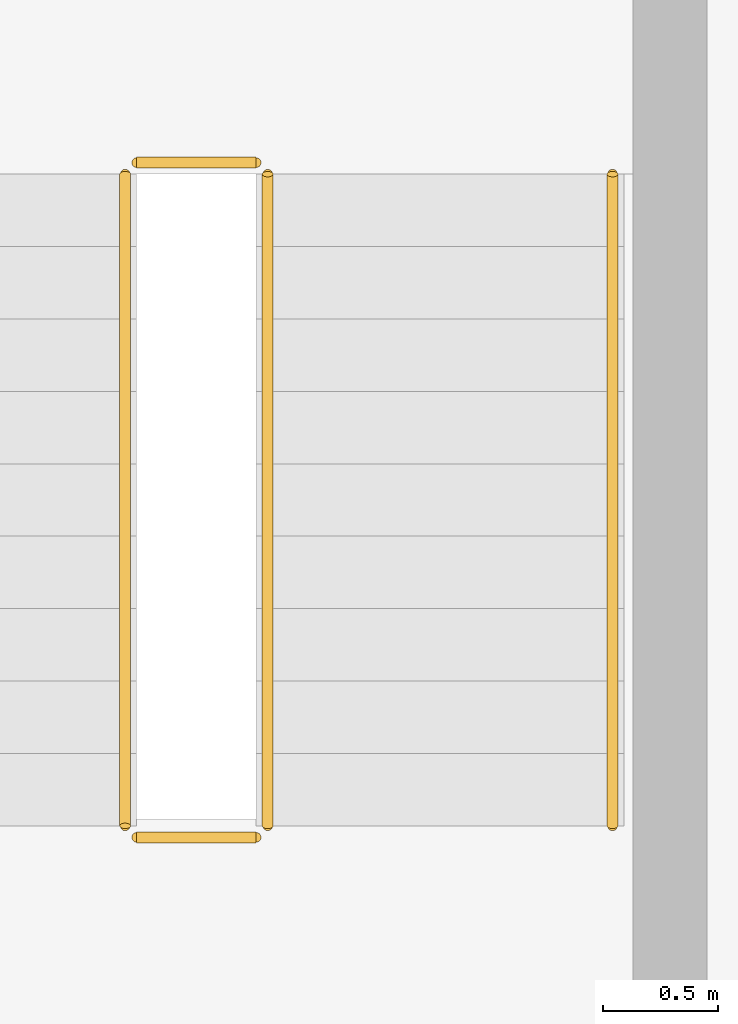
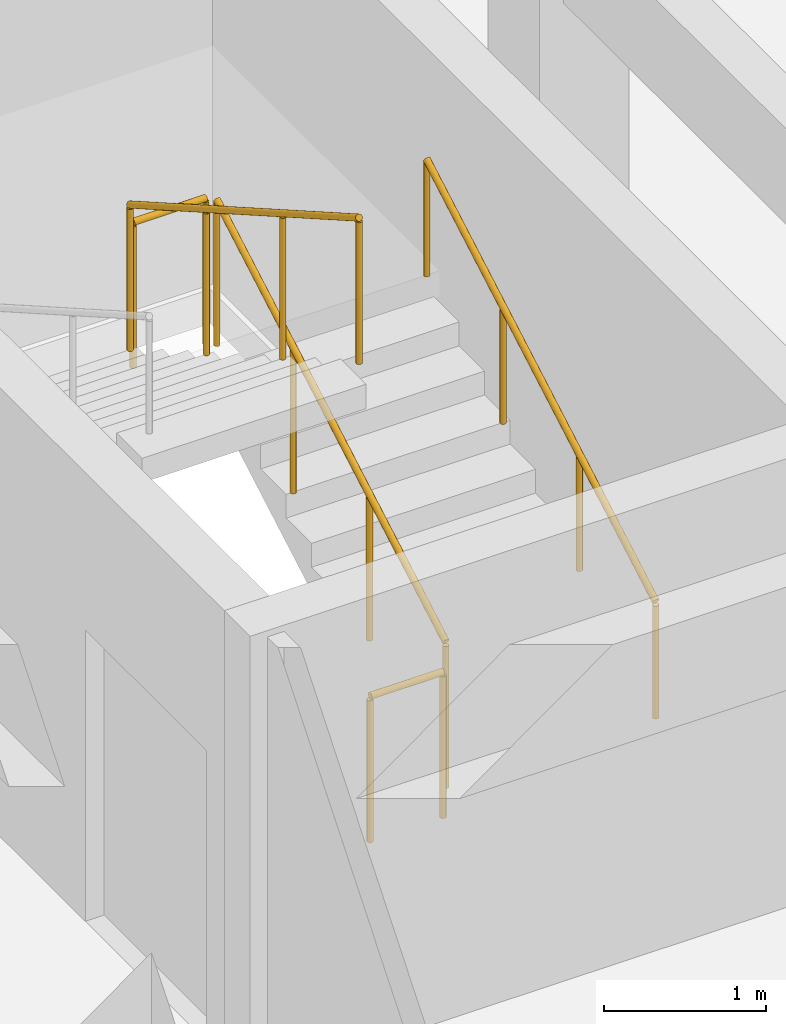
# One storey, part 75 of 85: 5 railings.
"""IFC4 building model written with IfcOpenShell, lengths in metres."""

from ifc_helpers import new_model, si_unit, direction, frame, origin, origin_2d, place, context, subcontext, project, spatial, circle, extrude, material, type_object, element, save


model = new_model("IFC4")

# Units and contexts
model_context = context("Model", 3, precision=1e-05, world=origin(), true_north=direction((0.0, 1.0)))
body_context = subcontext(model_context, "Body", "Model", "MODEL_VIEW")
ifc_project = project(units=[si_unit("LENGTHUNIT", "METRE"), si_unit("AREAUNIT", "SQUARE_METRE"), si_unit("VOLUMEUNIT", "CUBIC_METRE"), si_unit("PLANEANGLEUNIT", "RADIAN"), si_unit("MASSUNIT", "GRAM", prefix="KILO")], contexts=[model_context])

# Site, building, storey
site_placement = place(None, origin())
site = spatial("IfcSite", under=ifc_project, at=site_placement, CompositionType="ELEMENT")
building_placement = place(site_placement, origin())
building = spatial("IfcBuilding", under=site, at=building_placement, Name="Alvorim Cloister Faculty of Sciences", CompositionType="ELEMENT")
storey_placement = place(building_placement, frame((0.0, 0.0, 8.550048828125)))
storey = spatial("IfcBuildingStorey", under=building, at=storey_placement, Name="L02", CompositionType="ELEMENT", Elevation=8.550048828125)

# Railings
ifc_material_1 = material(Name="Galvanised Painted Steel", Category="steel")
railing_type_1 = type_object("IfcRailingType", Name="RL-STR-GUARD", PredefinedType="GUARDRAIL", material=ifc_material_1)
railing_1_placement = place(storey_placement, frame((18.3701171875, 73.800048828125, 0.179931640625)))
element("IfcRailing", 1, at=railing_1_placement, inside=storey, type_object=railing_type_1, Name="L02 ST-05 stair guard 1", PredefinedType="GUARDRAIL", context=body_context, shape_type="SweptSolid", body=[
    extrude(circle(Radius=0.02392578125, at=origin_2d()), frame((0.0, 0.0, 1.09619140625), z_axis=(0.0, 0.868224736699, 0.496171146464), x_axis=(-1.0, 0.0, 0.0)), (0.0, 0.0, 1.0), 3.26513671875),
    extrude(circle(Radius=0.02099609375, at=origin_2d()), origin(), (0.0, 0.0, 1.0), 1.072021484375),
    extrude(circle(Radius=0.02099609375, at=origin_2d()), frame((0.0, 0.945068359375, 0.5400390625)), (0.0, 0.0, 1.0), 1.072021484375),
    extrude(circle(Radius=0.02099609375, at=origin_2d()), frame((0.0, 1.889892578125, 1.080078125)), (0.0, 0.0, 1.0), 1.072021484375),
    extrude(circle(Radius=0.02099609375, at=origin_2d()), frame((0.0, 2.8349609375, 1.6201171875)), (0.0, 0.0, 1.0), 1.072021484375),
])
railing_2_placement = place(storey_placement, frame((18.320068359375, 76.68505859375, 1.800048828125)))
element("IfcRailing", 2, at=railing_2_placement, inside=storey, type_object=railing_type_1, Name="L02 ST-05 stair guard 2", PredefinedType="GUARDRAIL", context=body_context, shape_type="SweptSolid", body=[
    extrude(circle(Radius=0.02392578125, at=origin_2d()), frame((0.0, 0.0, 1.09619140625), z_axis=(-1.0, 0.0, 0.0), x_axis=(0.0, -1.0, 0.0)), (0.0, 0.0, 1.0), 0.52001953125),
    extrude(circle(Radius=0.02099609375, at=origin_2d()), origin(), (0.0, 0.0, 1.0), 1.072021484375),
    extrude(circle(Radius=0.02099609375, at=origin_2d()), frame((-0.52001953125, 0.0, 0.0)), (0.0, 0.0, 1.0), 1.072021484375),
])
railing_3_placement = place(storey_placement, frame((17.75, 76.635009765625, 1.97998046875)))
element("IfcRailing", 3, at=railing_3_placement, inside=storey, type_object=railing_type_1, Name="L02 ST-05 stair guard 3", PredefinedType="GUARDRAIL", context=body_context, shape_type="SweptSolid", body=[
    extrude(circle(Radius=0.02392578125, at=origin_2d()), frame((0.0, 0.0, 1.09619140625), z_axis=(0.0, -0.868256945921, 0.496114780932), x_axis=(1.0, 0.0, 0.0)), (0.0, 0.0, 1.0), 3.26513671875),
    extrude(circle(Radius=0.02099609375, at=origin_2d()), origin(), (0.0, 0.0, 1.0), 1.072021484375),
    extrude(circle(Radius=0.02099609375, at=origin_2d()), frame((0.0, -0.945068359375, 0.5400390625)), (0.0, 0.0, 1.0), 1.072021484375),
    extrude(circle(Radius=0.02099609375, at=origin_2d()), frame((0.0, -1.889892578125, 1.079833984375)), (0.0, 0.0, 1.0), 1.072021484375),
    extrude(circle(Radius=0.02099609375, at=origin_2d()), frame((0.0, -2.8349609375, 1.619873046875)), (0.0, 0.0, 1.0), 1.072021484375),
])
railing_4_placement = place(storey_placement, frame((18.320068359375, 73.75, 0.0)))
element("IfcRailing", 4, at=railing_4_placement, inside=storey, type_object=railing_type_1, Name="L02 ST-05 stair guard 4", PredefinedType="GUARDRAIL", context=body_context, shape_type="SweptSolid", body=[
    extrude(circle(Radius=0.02392578125, at=origin_2d()), frame((0.0, 0.0, 1.09619140625), z_axis=(-1.0, 0.0, 0.0), x_axis=(0.0, -1.0, 0.0)), (0.0, 0.0, 1.0), 0.52001953125),
    extrude(circle(Radius=0.02099609375, at=origin_2d()), origin(), (0.0, 0.0, 1.0), 1.072021484375),
    extrude(circle(Radius=0.02099609375, at=origin_2d()), frame((-0.52001953125, 0.0, 0.0)), (0.0, 0.0, 1.0), 1.072021484375),
])
ifc_material_2 = material(Name="Brushed Stainless Steel", Category="steel")
railing_type_2 = type_object("IfcRailingType", Name="RL-STR-HAND", PredefinedType="HANDRAIL", material=ifc_material_2)
railing_5_placement = place(storey_placement, frame((19.8701171875, 73.800048828125, 0.179931640625)))
element("IfcRailing", 5, at=railing_5_placement, inside=storey, type_object=railing_type_2, Name="L02 ST-05 stair handrail 1", PredefinedType="HANDRAIL", context=body_context, shape_type="SweptSolid", body=[
    extrude(circle(Radius=0.02392578125, at=origin_2d()), frame((0.0, 0.0, 0.8759765625), z_axis=(0.0, 0.868224736699, 0.496171146464), x_axis=(-1.0, 0.0, 0.0)), (0.0, 0.0, 1.0), 3.26513671875),
    extrude(circle(Radius=0.02099609375, at=origin_2d()), origin(), (0.0, 0.0, 1.0), 0.851806640625),
    extrude(circle(Radius=0.02099609375, at=origin_2d()), frame((0.0, 0.945068359375, 0.5400390625)), (0.0, 0.0, 1.0), 0.851806640625),
    extrude(circle(Radius=0.02099609375, at=origin_2d()), frame((0.0, 1.889892578125, 1.080078125)), (0.0, 0.0, 1.0), 0.851806640625),
    extrude(circle(Radius=0.02099609375, at=origin_2d()), frame((0.0, 2.8349609375, 1.6201171875)), (0.0, 0.0, 1.0), 0.851806640625),
])

save(model, "model.ifc")
